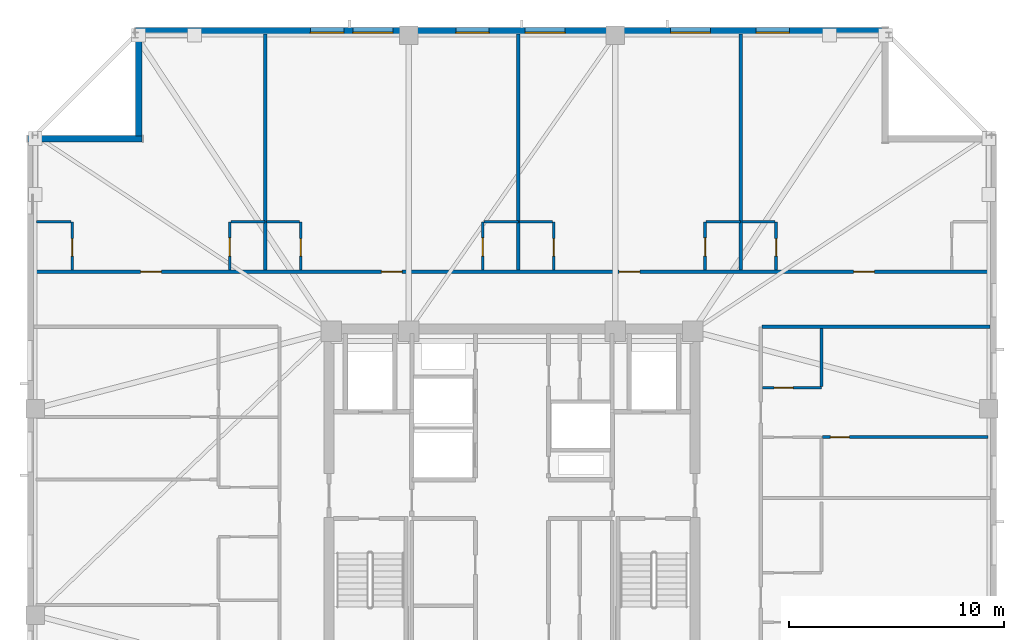
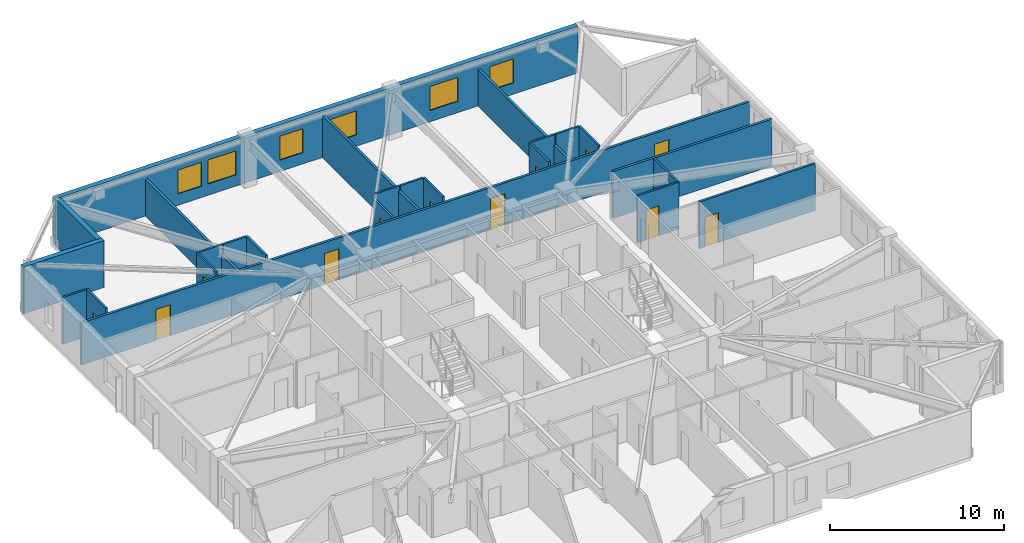
# One storey, part 11 of 17: 25 walls, 13 doors, 6 windows, 19 openings.
"""IFC4 building model written with IfcOpenShell, lengths in metres."""

from ifc_helpers import new_model, si_unit, direction, frame, frame_2d, origin, place, context, subcontext, project, spatial, rectangle, extrude, material, layer, layer_set, type_object, element, fill, save


model = new_model("IFC4")

# Units and contexts
model_context = context("Model", 3, precision=1e-05, world=origin(), true_north=direction((0.0, 1.0)))
body_context = subcontext(model_context, "Body", "Model", "MODEL_VIEW")
ifc_project = project(units=[si_unit("LENGTHUNIT", "METRE"), si_unit("AREAUNIT", "SQUARE_METRE"), si_unit("VOLUMEUNIT", "CUBIC_METRE"), si_unit("PLANEANGLEUNIT", "RADIAN"), si_unit("MASSUNIT", "GRAM", prefix="KILO")], contexts=[model_context])

# Site, building, storey
site_placement = place(None, origin())
site = spatial("IfcSite", under=ifc_project, at=site_placement, CompositionType="ELEMENT")
building_placement = place(site_placement, origin())
building = spatial("IfcBuilding", under=site, at=building_placement, Name="Cairnveth Concourse Tower", CompositionType="ELEMENT")
storey_placement = place(building_placement, frame((0.0, 0.0, 258.5)))
storey = spatial("IfcBuildingStorey", under=building, at=storey_placement, Name="L71", CompositionType="ELEMENT", Elevation=258.5)

# Wall, openings, doors
ifc_material_1 = material(Name="Gypsum Plasterboard Partition", Category="gypsum")
ifc_layer_1 = layer(ifc_material_1, 0.159912109375)
ifc_layer_set_1 = layer_set([ifc_layer_1], Name="Gypsum Plasterboard Partition")
wall_type_1 = type_object("IfcWallType", Name="ACOUSTIC PARTY WALL 180", PredefinedType="PARTITIONING", material=ifc_layer_set_1)
wall_1_placement = place(storey_placement, frame((29.804931640625, 50.152587890625, 0.0), z_axis=(0.0, 0.0, 1.0), x_axis=(1.0, 0.0, 0.0)))
wall_1 = element("IfcWall", 1, at=wall_1_placement, inside=storey, type_object=wall_type_1, Name="Interior Wall IW-L71-037", PredefinedType="PARTITIONING", context=body_context, shape_type="SweptSolid", body=[
    extrude(rectangle(XDim=44.39013671875, YDim=0.159912109375, at=frame_2d((22.195068359375, 0.0))), origin(), (0.0, 0.0, 1.0), 2.9580078125),
])
opening_1_placement = place(wall_1_placement, frame((4.94384765625, 0.0, 0.0)))
opening_1 = element("IfcOpeningElement", 2, at=opening_1_placement, cuts=wall_1, Name="Opening ID10", PredefinedType="OPENING", context=body_context, shape_type="SweptSolid", body=[
    extrude(rectangle(XDim=0.9599609375, YDim=2.179931640625, at=frame_2d((0.47998046875, 1.08984375))), frame((0.0, 0.08984375, 0.0), z_axis=(0.0, -1.0, 0.0), x_axis=(1.0, 0.0, 0.0)), (0.0, 0.0, 1.0), 0.179931640625),
])
opening_2_placement = place(wall_1_placement, frame((16.1298828125, 0.0, 0.0)))
opening_2 = element("IfcOpeningElement", 3, at=opening_2_placement, cuts=wall_1, Name="Opening ID10", PredefinedType="OPENING", context=body_context, shape_type="SweptSolid", body=[
    extrude(rectangle(XDim=0.9599609375, YDim=2.179931640625, at=frame_2d((0.47998046875, 1.08984375))), frame((0.0, 0.08984375, 0.0), z_axis=(0.0, -1.0, 0.0), x_axis=(1.0, 0.0, 0.0)), (0.0, 0.0, 1.0), 0.179931640625),
])
opening_3_placement = place(wall_1_placement, frame((27.169921875, 0.0, 0.0)))
opening_3 = element("IfcOpeningElement", 4, at=opening_3_placement, cuts=wall_1, Name="Opening ID10", PredefinedType="OPENING", context=body_context, shape_type="SweptSolid", body=[
    extrude(rectangle(XDim=0.9599609375, YDim=2.179931640625, at=frame_2d((0.47998046875, 1.08984375))), frame((0.0, 0.08984375, 0.0), z_axis=(0.0, -1.0, 0.0), x_axis=(1.0, 0.0, 0.0)), (0.0, 0.0, 1.0), 0.179931640625),
])
opening_4_placement = place(wall_1_placement, frame((38.063720703125, 0.0, 0.0)))
opening_4 = element("IfcOpeningElement", 5, at=opening_4_placement, cuts=wall_1, Name="Opening ID10", PredefinedType="OPENING", context=body_context, shape_type="SweptSolid", body=[
    extrude(rectangle(XDim=0.9599609375, YDim=2.179931640625, at=frame_2d((0.47998046875, 1.08984375))), frame((0.0, 0.08984375, 0.0), z_axis=(0.0, -1.0, 0.0), x_axis=(1.0, 0.0, 0.0)), (0.0, 0.0, 1.0), 0.179931640625),
])
ifc_material_2 = material(Name="Solid Core Hardwood Timber Leaf", Category="wood")
door_type_1 = type_object("IfcDoorType", Name="FLAT ENTRANCE DOOR 960X2150", OperationType="NOTDEFINED", PredefinedType="DOOR", material=ifc_material_2)
door_1_placement = place(opening_1_placement, origin())
door_1 = element("IfcDoor", 6, at=door_1_placement, inside=storey, type_object=door_type_1, Name="Studio L71STN1 Entrance Door", OperationType="SINGLE_SWING_LEFT", OverallHeight=2.179931640625, OverallWidth=0.9599609375, PredefinedType="DOOR", context=body_context, shape_type="SweptSolid", body=[
    extrude(rectangle(XDim=0.9599609375, YDim=2.179931640625, at=frame_2d((0.47998046875, 1.08984375))), frame((0.0, 0.02490234375, 0.0), z_axis=(0.0, -1.0, 0.0), x_axis=(1.0, 0.0, 0.0)), (0.0, 0.0, 1.0), 0.050048828125),
])
fill(opening_1, door_1)
door_2_placement = place(opening_2_placement, origin())
door_2 = element("IfcDoor", 7, at=door_2_placement, inside=storey, type_object=door_type_1, Name="Studio L71STN2 Entrance Door", OperationType="SINGLE_SWING_RIGHT", OverallHeight=2.179931640625, OverallWidth=0.9599609375, PredefinedType="DOOR", context=body_context, shape_type="SweptSolid", body=[
    extrude(rectangle(XDim=0.9599609375, YDim=2.179931640625, at=frame_2d((0.47998046875, 1.08984375))), frame((0.0, 0.02490234375, 0.0), z_axis=(0.0, -1.0, 0.0), x_axis=(1.0, 0.0, 0.0)), (0.0, 0.0, 1.0), 0.050048828125),
])
fill(opening_2, door_2)
door_3_placement = place(opening_3_placement, origin())
door_3 = element("IfcDoor", 8, at=door_3_placement, inside=storey, type_object=door_type_1, Name="Studio L71STN3 Entrance Door", OperationType="SINGLE_SWING_LEFT", OverallHeight=2.179931640625, OverallWidth=0.9599609375, PredefinedType="DOOR", context=body_context, shape_type="SweptSolid", body=[
    extrude(rectangle(XDim=0.9599609375, YDim=2.179931640625, at=frame_2d((0.47998046875, 1.08984375))), frame((0.0, 0.02490234375, 0.0), z_axis=(0.0, -1.0, 0.0), x_axis=(1.0, 0.0, 0.0)), (0.0, 0.0, 1.0), 0.050048828125),
])
fill(opening_3, door_3)
door_4_placement = place(opening_4_placement, origin())
door_4 = element("IfcDoor", 9, at=door_4_placement, inside=storey, type_object=door_type_1, Name="Studio L71STN4 Entrance Door", OperationType="SINGLE_SWING_RIGHT", OverallHeight=2.179931640625, OverallWidth=0.9599609375, PredefinedType="DOOR", context=body_context, shape_type="SweptSolid", body=[
    extrude(rectangle(XDim=0.9599609375, YDim=2.179931640625, at=frame_2d((0.47998046875, 1.08984375))), frame((0.0, 0.02490234375, 0.0), z_axis=(0.0, -1.0, 0.0), x_axis=(1.0, 0.0, 0.0)), (0.0, 0.0, 1.0), 0.050048828125),
])
fill(opening_4, door_4)

# Walls
wall_2_placement = place(storey_placement, frame((63.614990234375, 47.60009765625, 0.0), z_axis=(0.0, 0.0, 1.0), x_axis=(1.0, 0.0, 0.0)))
element("IfcWall", 10, at=wall_2_placement, inside=storey, type_object=wall_type_1, Name="Interior Wall IW-L71-043", PredefinedType="PARTITIONING", context=body_context, shape_type="SweptSolid", body=[
    extrude(rectangle(XDim=10.580078125, YDim=0.159912109375, at=frame_2d((5.2900390625, 0.0))), origin(), (0.0, 0.0, 1.0), 3.2900390625),
])
wall_3_placement = place(storey_placement, frame((40.53759765625, 50.232421875, 0.0), z_axis=(0.0, 0.0, 1.0), x_axis=(0.0, 1.0, 0.0)))
element("IfcWall", 11, at=wall_3_placement, inside=storey, type_object=wall_type_1, Name="Interior Wall IW-L71-079", PredefinedType="PARTITIONING", context=body_context, shape_type="SweptSolid", body=[
    extrude(rectangle(XDim=10.962646484375, YDim=0.159912109375, at=frame_2d((5.4814453125, 0.0))), origin(), (0.0, 0.0, 1.0), 2.572998046875),
])
wall_4_placement = place(storey_placement, frame((52.29248046875, 50.232421875, 0.0), z_axis=(0.0, 0.0, 1.0), x_axis=(0.0, 1.0, 0.0)))
element("IfcWall", 12, at=wall_4_placement, inside=storey, type_object=wall_type_1, Name="Interior Wall IW-L71-084", PredefinedType="PARTITIONING", context=body_context, shape_type="SweptSolid", body=[
    extrude(rectangle(XDim=10.962646484375, YDim=0.159912109375, at=frame_2d((5.4814453125, 0.0))), origin(), (0.0, 0.0, 1.0), 2.9580078125),
])
wall_5_placement = place(storey_placement, frame((62.617431640625, 50.232421875, 0.0), z_axis=(0.0, 0.0, 1.0), x_axis=(0.0, 1.0, 0.0)))
element("IfcWall", 13, at=wall_5_placement, inside=storey, type_object=wall_type_1, Name="Interior Wall IW-L71-089", PredefinedType="PARTITIONING", context=body_context, shape_type="SweptSolid", body=[
    extrude(rectangle(XDim=10.962646484375, YDim=0.159912109375, at=frame_2d((5.4814453125, 0.0))), origin(), (0.0, 0.0, 1.0), 2.572998046875),
])

# Wall, opening, door
ifc_layer_2 = layer(ifc_material_1, 0.139892578125)
ifc_layer_set_2 = layer_set([ifc_layer_2], Name="Gypsum Plasterboard Partition")
wall_type_2 = type_object("IfcWallType", Name="GYPSUM STUD PARTITION 140", PredefinedType="PARTITIONING", material=ifc_layer_set_2)
wall_6_placement = place(storey_placement, frame((66.429931640625, 42.47509765625, 0.0), z_axis=(0.0, 0.0, 1.0), x_axis=(1.0, 0.0, 0.0)))
wall_6 = element("IfcWall", 14, at=wall_6_placement, inside=storey, type_object=wall_type_2, Name="Interior Wall IW-L71-116", PredefinedType="PARTITIONING", context=body_context, shape_type="SweptSolid", body=[
    extrude(rectangle(XDim=7.690185546875, YDim=0.139892578125, at=frame_2d((3.84521484375, 0.0))), origin(), (0.0, 0.0, 1.0), 3.2900390625),
])
opening_5_placement = place(wall_6_placement, frame((0.360107421875, 0.0, 0.0)))
opening_5 = element("IfcOpeningElement", 15, at=opening_5_placement, cuts=wall_6, Name="Opening ID18", PredefinedType="OPENING", context=body_context, shape_type="SweptSolid", body=[
    extrude(rectangle(XDim=0.8798828125, YDim=2.10009765625, at=frame_2d((0.43994140625, 1.050048828125))), frame((0.0, 0.079833984375, 0.0), z_axis=(0.0, -1.0, 0.0), x_axis=(1.0, 0.0, 0.0)), (0.0, 0.0, 1.0), 0.159912109375),
])
door_type_2 = type_object("IfcDoorType", Name="INTERIOR SINGLE DOOR 880X2100", OperationType="NOTDEFINED", PredefinedType="DOOR", material=ifc_material_2)
door_5_placement = place(opening_5_placement, origin())
door_5 = element("IfcDoor", 16, at=door_5_placement, inside=storey, type_object=door_type_2, Name="L71E2 Master Bedroom Door", OperationType="SINGLE_SWING_LEFT", OverallHeight=2.10009765625, OverallWidth=0.8798828125, PredefinedType="DOOR", context=body_context, shape_type="SweptSolid", body=[
    extrude(rectangle(XDim=0.8798828125, YDim=2.10009765625, at=frame_2d((0.43994140625, 1.050048828125))), frame((0.0, 0.02490234375, 0.0), z_axis=(0.0, -1.0, 0.0), x_axis=(1.0, 0.0, 0.0)), (0.0, 0.0, 1.0), 0.050048828125),
])
fill(opening_5, door_5)

ifc_layer_3 = layer(ifc_material_1, 0.1298828125)
ifc_layer_set_3 = layer_set([ifc_layer_3], Name="Gypsum Plasterboard Partition")
wall_type_3 = type_object("IfcWallType", Name="WET AREA PARTITION 140", PredefinedType="PLUMBINGWALL", material=ifc_layer_set_3)
wall_7_placement = place(storey_placement, frame((31.570068359375, 50.232421875, 0.0), z_axis=(0.0, 0.0, 1.0), x_axis=(0.0, 1.0, 0.0)))
wall_7 = element("IfcWall", 17, at=wall_7_placement, inside=storey, type_object=wall_type_3, Name="Interior Wall IW-L71-075", PredefinedType="PLUMBINGWALL", context=body_context, shape_type="SweptSolid", body=[
    extrude(rectangle(XDim=2.25, YDim=0.1298828125, at=frame_2d((1.125, 0.0))), origin(), (0.0, 0.0, 1.0), 3.2900390625),
])
opening_6_placement = place(wall_7_placement, frame((0.64990234375, 0.0, 0.0)))
opening_6 = element("IfcOpeningElement", 18, at=opening_6_placement, cuts=wall_7, Name="Opening ID22", PredefinedType="OPENING", context=body_context, shape_type="SweptSolid", body=[
    extrude(rectangle(XDim=0.820068359375, YDim=2.10009765625, at=frame_2d((0.41015625, 1.050048828125))), frame((0.0, 0.074951171875, 0.0), z_axis=(0.0, -1.0, 0.0), x_axis=(1.0, 0.0, 0.0)), (0.0, 0.0, 1.0), 0.14990234375),
])
door_type_3 = type_object("IfcDoorType", Name="INTERIOR WC DOOR 820X2100", OperationType="NOTDEFINED", PredefinedType="DOOR", material=ifc_material_2)
door_6_placement = place(opening_6_placement, origin())
door_6 = element("IfcDoor", 19, at=door_6_placement, inside=storey, type_object=door_type_3, Name="L71STN1 Bathroom Door", OperationType="SINGLE_SWING_LEFT", OverallHeight=2.10009765625, OverallWidth=0.820068359375, PredefinedType="DOOR", context=body_context, shape_type="SweptSolid", body=[
    extrude(rectangle(XDim=0.820068359375, YDim=2.10009765625, at=frame_2d((0.41015625, 1.050048828125))), frame((0.0, 0.02490234375, 0.0), z_axis=(0.0, -1.0, 0.0), x_axis=(1.0, 0.0, 0.0)), (0.0, 0.0, 1.0), 0.050048828125),
])
fill(opening_6, door_6)

# Wall
wall_8_placement = place(storey_placement, frame((29.919921875, 52.482421875, 0.0), z_axis=(0.0, 0.0, 1.0), x_axis=(1.0, 0.0, 0.0)))
element("IfcWall", 20, at=wall_8_placement, inside=storey, type_object=wall_type_3, Name="Interior Wall IW-L71-076", PredefinedType="PLUMBINGWALL", context=body_context, shape_type="SweptSolid", body=[
    extrude(rectangle(XDim=1.60009765625, YDim=0.1298828125, at=frame_2d((0.800048828125, 0.0))), origin(), (0.0, 0.0, 1.0), 3.2900390625),
])

# Wall, opening, door
wall_9_placement = place(storey_placement, frame((38.887451171875, 50.232421875, 0.0), z_axis=(0.0, 0.0, 1.0), x_axis=(0.0, 1.0, 0.0)))
wall_9 = element("IfcWall", 21, at=wall_9_placement, inside=storey, type_object=wall_type_3, Name="Interior Wall IW-L71-077", PredefinedType="PLUMBINGWALL", context=body_context, shape_type="SweptSolid", body=[
    extrude(rectangle(XDim=2.25, YDim=0.1298828125, at=frame_2d((1.125, 0.0))), origin(), (0.0, 0.0, 1.0), 3.2900390625),
])
opening_7_placement = place(wall_9_placement, frame((0.64990234375, 0.0, 0.0)))
opening_7 = element("IfcOpeningElement", 22, at=opening_7_placement, cuts=wall_9, Name="Opening ID20", PredefinedType="OPENING", context=body_context, shape_type="SweptSolid", body=[
    extrude(rectangle(XDim=0.85009765625, YDim=2.10009765625, at=frame_2d((0.425048828125, 1.050048828125))), frame((0.0, 0.074951171875, 0.0), z_axis=(0.0, -1.0, 0.0), x_axis=(1.0, 0.0, 0.0)), (0.0, 0.0, 1.0), 0.14990234375),
])
door_type_4 = type_object("IfcDoorType", Name="INTERIOR SINGLE DOOR 850X2100", OperationType="NOTDEFINED", PredefinedType="DOOR", material=ifc_material_2)
door_7_placement = place(opening_7_placement, origin())
door_7 = element("IfcDoor", 23, at=door_7_placement, inside=storey, type_object=door_type_4, Name="L71STN1 Kitchen Door", OperationType="SINGLE_SWING_RIGHT", OverallHeight=2.10009765625, OverallWidth=0.85009765625, PredefinedType="DOOR", context=body_context, shape_type="SweptSolid", body=[
    extrude(rectangle(XDim=0.85009765625, YDim=2.10009765625, at=frame_2d((0.425048828125, 1.050048828125))), frame((0.0, 0.02490234375, 0.0), z_axis=(0.0, -1.0, 0.0), x_axis=(1.0, 0.0, 0.0)), (0.0, 0.0, 1.0), 0.050048828125),
])
fill(opening_7, door_7)

# Wall
wall_10_placement = place(storey_placement, frame((38.9375, 52.482421875, 0.0), z_axis=(0.0, 0.0, 1.0), x_axis=(1.0, 0.0, 0.0)))
element("IfcWall", 24, at=wall_10_placement, inside=storey, type_object=wall_type_3, Name="Interior Wall IW-L71-078", PredefinedType="PLUMBINGWALL", context=body_context, shape_type="SweptSolid", body=[
    extrude(rectangle(XDim=1.60009765625, YDim=0.1298828125, at=frame_2d((0.800048828125, 0.0))), origin(), (0.0, 0.0, 1.0), 3.2900390625),
])

# Wall, opening, door
wall_11_placement = place(storey_placement, frame((42.1875, 50.232421875, 0.0), z_axis=(0.0, 0.0, 1.0), x_axis=(0.0, 1.0, 0.0)))
wall_11 = element("IfcWall", 25, at=wall_11_placement, inside=storey, type_object=wall_type_3, Name="Interior Wall IW-L71-080", PredefinedType="PLUMBINGWALL", context=body_context, shape_type="SweptSolid", body=[
    extrude(rectangle(XDim=2.25, YDim=0.1298828125, at=frame_2d((1.125, 0.0))), origin(), (0.0, 0.0, 1.0), 3.2900390625),
])
opening_8_placement = place(wall_11_placement, frame((0.64990234375, 0.0, 0.0)))
opening_8 = element("IfcOpeningElement", 26, at=opening_8_placement, cuts=wall_11, Name="Opening ID22", PredefinedType="OPENING", context=body_context, shape_type="SweptSolid", body=[
    extrude(rectangle(XDim=0.820068359375, YDim=2.10009765625, at=frame_2d((0.41015625, 1.050048828125))), frame((0.0, 0.074951171875, 0.0), z_axis=(0.0, -1.0, 0.0), x_axis=(1.0, 0.0, 0.0)), (0.0, 0.0, 1.0), 0.14990234375),
])
door_8_placement = place(opening_8_placement, origin())
door_8 = element("IfcDoor", 27, at=door_8_placement, inside=storey, type_object=door_type_3, Name="L71STN2 Bathroom Door", OperationType="SINGLE_SWING_RIGHT", OverallHeight=2.10009765625, OverallWidth=0.820068359375, PredefinedType="DOOR", context=body_context, shape_type="SweptSolid", body=[
    extrude(rectangle(XDim=0.820068359375, YDim=2.10009765625, at=frame_2d((0.41015625, 1.050048828125))), frame((0.0, 0.02490234375, 0.0), z_axis=(0.0, -1.0, 0.0), x_axis=(1.0, 0.0, 0.0)), (0.0, 0.0, 1.0), 0.050048828125),
])
fill(opening_8, door_8)

# Wall
wall_12_placement = place(storey_placement, frame((40.6025390625, 52.482421875, 0.0), z_axis=(0.0, 0.0, 1.0), x_axis=(1.0, 0.0, 0.0)))
element("IfcWall", 28, at=wall_12_placement, inside=storey, type_object=wall_type_3, Name="Interior Wall IW-L71-081", PredefinedType="PLUMBINGWALL", context=body_context, shape_type="SweptSolid", body=[
    extrude(rectangle(XDim=1.534912109375, YDim=0.1298828125, at=frame_2d((0.767578125, 0.0))), origin(), (0.0, 0.0, 1.0), 3.2900390625),
])

# Wall, opening, door
wall_13_placement = place(storey_placement, frame((50.642578125, 50.232421875, 0.0), z_axis=(0.0, 0.0, 1.0), x_axis=(0.0, 1.0, 0.0)))
wall_13 = element("IfcWall", 29, at=wall_13_placement, inside=storey, type_object=wall_type_3, Name="Interior Wall IW-L71-082", PredefinedType="PLUMBINGWALL", context=body_context, shape_type="SweptSolid", body=[
    extrude(rectangle(XDim=2.25, YDim=0.1298828125, at=frame_2d((1.125, 0.0))), origin(), (0.0, 0.0, 1.0), 2.9580078125),
])
opening_9_placement = place(wall_13_placement, frame((0.64990234375, 0.0, 0.0)))
opening_9 = element("IfcOpeningElement", 30, at=opening_9_placement, cuts=wall_13, Name="Opening ID20", PredefinedType="OPENING", context=body_context, shape_type="SweptSolid", body=[
    extrude(rectangle(XDim=0.85009765625, YDim=2.10009765625, at=frame_2d((0.425048828125, 1.050048828125))), frame((0.0, 0.074951171875, 0.0), z_axis=(0.0, -1.0, 0.0), x_axis=(1.0, 0.0, 0.0)), (0.0, 0.0, 1.0), 0.14990234375),
])
door_9_placement = place(opening_9_placement, origin())
door_9 = element("IfcDoor", 31, at=door_9_placement, inside=storey, type_object=door_type_4, Name="L71STN2 Kitchen Door", OperationType="SINGLE_SWING_LEFT", OverallHeight=2.10009765625, OverallWidth=0.85009765625, PredefinedType="DOOR", context=body_context, shape_type="SweptSolid", body=[
    extrude(rectangle(XDim=0.85009765625, YDim=2.10009765625, at=frame_2d((0.425048828125, 1.050048828125))), frame((0.0, 0.02490234375, 0.0), z_axis=(0.0, -1.0, 0.0), x_axis=(1.0, 0.0, 0.0)), (0.0, 0.0, 1.0), 0.050048828125),
])
fill(opening_9, door_9)

# Wall
wall_14_placement = place(storey_placement, frame((50.6923828125, 52.482421875, 0.0), z_axis=(0.0, 0.0, 1.0), x_axis=(1.0, 0.0, 0.0)))
element("IfcWall", 32, at=wall_14_placement, inside=storey, type_object=wall_type_3, Name="Interior Wall IW-L71-083", PredefinedType="PLUMBINGWALL", context=body_context, shape_type="SweptSolid", body=[
    extrude(rectangle(XDim=1.60009765625, YDim=0.1298828125, at=frame_2d((0.800048828125, 0.0))), origin(), (0.0, 0.0, 1.0), 3.2900390625),
])

# Wall, opening, door
wall_15_placement = place(storey_placement, frame((53.9423828125, 50.232421875, 0.0), z_axis=(0.0, 0.0, 1.0), x_axis=(0.0, 1.0, 0.0)))
wall_15 = element("IfcWall", 33, at=wall_15_placement, inside=storey, type_object=wall_type_3, Name="Interior Wall IW-L71-085", PredefinedType="PLUMBINGWALL", context=body_context, shape_type="SweptSolid", body=[
    extrude(rectangle(XDim=2.25, YDim=0.1298828125, at=frame_2d((1.125, 0.0))), origin(), (0.0, 0.0, 1.0), 3.2900390625),
])
opening_10_placement = place(wall_15_placement, frame((0.64990234375, 0.0, 0.0)))
opening_10 = element("IfcOpeningElement", 34, at=opening_10_placement, cuts=wall_15, Name="Opening ID22", PredefinedType="OPENING", context=body_context, shape_type="SweptSolid", body=[
    extrude(rectangle(XDim=0.820068359375, YDim=2.10009765625, at=frame_2d((0.41015625, 1.050048828125))), frame((0.0, 0.074951171875, 0.0), z_axis=(0.0, -1.0, 0.0), x_axis=(1.0, 0.0, 0.0)), (0.0, 0.0, 1.0), 0.14990234375),
])
door_10_placement = place(opening_10_placement, origin())
door_10 = element("IfcDoor", 35, at=door_10_placement, inside=storey, type_object=door_type_3, Name="L71STN3 Bathroom Door", OperationType="SINGLE_SWING_LEFT", OverallHeight=2.10009765625, OverallWidth=0.820068359375, PredefinedType="DOOR", context=body_context, shape_type="SweptSolid", body=[
    extrude(rectangle(XDim=0.820068359375, YDim=2.10009765625, at=frame_2d((0.41015625, 1.050048828125))), frame((0.0, 0.02490234375, 0.0), z_axis=(0.0, -1.0, 0.0), x_axis=(1.0, 0.0, 0.0)), (0.0, 0.0, 1.0), 0.050048828125),
])
fill(opening_10, door_10)

# Wall
wall_16_placement = place(storey_placement, frame((52.357421875, 52.482421875, 0.0), z_axis=(0.0, 0.0, 1.0), x_axis=(1.0, 0.0, 0.0)))
element("IfcWall", 36, at=wall_16_placement, inside=storey, type_object=wall_type_3, Name="Interior Wall IW-L71-086", PredefinedType="PLUMBINGWALL", context=body_context, shape_type="SweptSolid", body=[
    extrude(rectangle(XDim=1.53515625, YDim=0.1298828125, at=frame_2d((0.767578125, 0.0))), origin(), (0.0, 0.0, 1.0), 3.2900390625),
])

# Wall, opening, door
wall_17_placement = place(storey_placement, frame((60.967529296875, 50.232421875, 0.0), z_axis=(0.0, 0.0, 1.0), x_axis=(0.0, 1.0, 0.0)))
wall_17 = element("IfcWall", 37, at=wall_17_placement, inside=storey, type_object=wall_type_3, Name="Interior Wall IW-L71-087", PredefinedType="PLUMBINGWALL", context=body_context, shape_type="SweptSolid", body=[
    extrude(rectangle(XDim=2.25, YDim=0.1298828125, at=frame_2d((1.125, 0.0))), origin(), (0.0, 0.0, 1.0), 3.2900390625),
])
opening_11_placement = place(wall_17_placement, frame((0.64990234375, 0.0, 0.0)))
opening_11 = element("IfcOpeningElement", 38, at=opening_11_placement, cuts=wall_17, Name="Opening ID20", PredefinedType="OPENING", context=body_context, shape_type="SweptSolid", body=[
    extrude(rectangle(XDim=0.85009765625, YDim=2.10009765625, at=frame_2d((0.425048828125, 1.050048828125))), frame((0.0, 0.074951171875, 0.0), z_axis=(0.0, -1.0, 0.0), x_axis=(1.0, 0.0, 0.0)), (0.0, 0.0, 1.0), 0.14990234375),
])
door_11_placement = place(opening_11_placement, origin())
door_11 = element("IfcDoor", 39, at=door_11_placement, inside=storey, type_object=door_type_4, Name="L71STN3 Kitchen Door", OperationType="SINGLE_SWING_RIGHT", OverallHeight=2.10009765625, OverallWidth=0.85009765625, PredefinedType="DOOR", context=body_context, shape_type="SweptSolid", body=[
    extrude(rectangle(XDim=0.85009765625, YDim=2.10009765625, at=frame_2d((0.425048828125, 1.050048828125))), frame((0.0, 0.02490234375, 0.0), z_axis=(0.0, -1.0, 0.0), x_axis=(1.0, 0.0, 0.0)), (0.0, 0.0, 1.0), 0.050048828125),
])
fill(opening_11, door_11)

# Wall
wall_18_placement = place(storey_placement, frame((61.017578125, 52.482421875, 0.0), z_axis=(0.0, 0.0, 1.0), x_axis=(1.0, 0.0, 0.0)))
element("IfcWall", 40, at=wall_18_placement, inside=storey, type_object=wall_type_3, Name="Interior Wall IW-L71-088", PredefinedType="PLUMBINGWALL", context=body_context, shape_type="SweptSolid", body=[
    extrude(rectangle(XDim=1.599853515625, YDim=0.1298828125, at=frame_2d((0.7998046875, 0.0))), origin(), (0.0, 0.0, 1.0), 3.2900390625),
])

# Wall, opening, door
wall_19_placement = place(storey_placement, frame((64.267578125, 50.232421875, 0.0), z_axis=(0.0, 0.0, 1.0), x_axis=(0.0, 1.0, 0.0)))
wall_19 = element("IfcWall", 41, at=wall_19_placement, inside=storey, type_object=wall_type_3, Name="Interior Wall IW-L71-090", PredefinedType="PLUMBINGWALL", context=body_context, shape_type="SweptSolid", body=[
    extrude(rectangle(XDim=2.25, YDim=0.1298828125, at=frame_2d((1.125, 0.0))), origin(), (0.0, 0.0, 1.0), 3.2900390625),
])
opening_12_placement = place(wall_19_placement, frame((0.64990234375, 0.0, 0.0)))
opening_12 = element("IfcOpeningElement", 42, at=opening_12_placement, cuts=wall_19, Name="Opening ID22", PredefinedType="OPENING", context=body_context, shape_type="SweptSolid", body=[
    extrude(rectangle(XDim=0.820068359375, YDim=2.10009765625, at=frame_2d((0.41015625, 1.050048828125))), frame((0.0, 0.074951171875, 0.0), z_axis=(0.0, -1.0, 0.0), x_axis=(1.0, 0.0, 0.0)), (0.0, 0.0, 1.0), 0.14990234375),
])
door_12_placement = place(opening_12_placement, origin())
door_12 = element("IfcDoor", 43, at=door_12_placement, inside=storey, type_object=door_type_3, Name="L71STN4 Bathroom Door", OperationType="SINGLE_SWING_RIGHT", OverallHeight=2.10009765625, OverallWidth=0.820068359375, PredefinedType="DOOR", context=body_context, shape_type="SweptSolid", body=[
    extrude(rectangle(XDim=0.820068359375, YDim=2.10009765625, at=frame_2d((0.41015625, 1.050048828125))), frame((0.0, 0.02490234375, 0.0), z_axis=(0.0, -1.0, 0.0), x_axis=(1.0, 0.0, 0.0)), (0.0, 0.0, 1.0), 0.050048828125),
])
fill(opening_12, door_12)

# Wall
wall_20_placement = place(storey_placement, frame((62.6826171875, 52.482421875, 0.0), z_axis=(0.0, 0.0, 1.0), x_axis=(1.0, 0.0, 0.0)))
element("IfcWall", 44, at=wall_20_placement, inside=storey, type_object=wall_type_3, Name="Interior Wall IW-L71-091", PredefinedType="PLUMBINGWALL", context=body_context, shape_type="SweptSolid", body=[
    extrude(rectangle(XDim=1.534912109375, YDim=0.1298828125, at=frame_2d((0.767578125, 0.0))), origin(), (0.0, 0.0, 1.0), 3.2900390625),
])

# Wall, opening, door
wall_21_placement = place(storey_placement, frame((63.6298828125, 44.77490234375, 0.0), z_axis=(0.0, 0.0, 1.0), x_axis=(1.0, 0.0, 0.0)))
wall_21 = element("IfcWall", 45, at=wall_21_placement, inside=storey, type_object=wall_type_3, Name="Interior Wall IW-L71-114", PredefinedType="PLUMBINGWALL", context=body_context, shape_type="SweptSolid", body=[
    extrude(rectangle(XDim=2.75, YDim=0.1298828125, at=frame_2d((1.375, 0.0))), origin(), (0.0, 0.0, 1.0), 3.2900390625),
])
opening_13_placement = place(wall_21_placement, frame((0.550048828125, 0.0, 0.0)))
opening_13 = element("IfcOpeningElement", 46, at=opening_13_placement, cuts=wall_21, Name="Opening ID18", PredefinedType="OPENING", context=body_context, shape_type="SweptSolid", body=[
    extrude(rectangle(XDim=0.8798828125, YDim=2.10009765625, at=frame_2d((0.43994140625, 1.050048828125))), frame((0.0, 0.074951171875, 0.0), z_axis=(0.0, -1.0, 0.0), x_axis=(1.0, 0.0, 0.0)), (0.0, 0.0, 1.0), 0.14990234375),
])
door_13_placement = place(opening_13_placement, origin())
door_13 = element("IfcDoor", 47, at=door_13_placement, inside=storey, type_object=door_type_2, Name="L71E2 Kitchen Door", OperationType="SINGLE_SWING_RIGHT", OverallHeight=2.10009765625, OverallWidth=0.8798828125, PredefinedType="DOOR", context=body_context, shape_type="SweptSolid", body=[
    extrude(rectangle(XDim=0.8798828125, YDim=2.10009765625, at=frame_2d((0.43994140625, 1.050048828125))), frame((0.0, 0.02490234375, 0.0), z_axis=(0.0, -1.0, 0.0), x_axis=(1.0, 0.0, 0.0)), (0.0, 0.0, 1.0), 0.050048828125),
])
fill(opening_13, door_13)

# Walls
wall_22_placement = place(storey_placement, frame((66.3798828125, 44.824951171875, 0.0), z_axis=(0.0, 0.0, 1.0), x_axis=(0.0, 1.0, 0.0)))
element("IfcWall", 48, at=wall_22_placement, inside=storey, type_object=wall_type_3, Name="Interior Wall IW-L71-115", PredefinedType="PLUMBINGWALL", context=body_context, shape_type="SweptSolid", body=[
    extrude(rectangle(XDim=2.7099609375, YDim=0.1298828125, at=frame_2d((1.35498046875, 0.0))), origin(), (0.0, 0.0, 1.0), 3.2900390625),
])
ifc_material_3 = material(Name="Melbourne Buff Fired Clay Brick Masonry", Category="masonry")
ifc_layer_4 = layer(ifc_material_3, 0.320068359375)
ifc_layer_set_4 = layer_set([ifc_layer_4], Name="Melbourne Buff Fired Clay Brick Masonry")
wall_type_4 = type_object("IfcWallType", Name="ZONE 3 BRICK PIER SPANDREL WALL 320", PredefinedType="SOLIDWALL", material=ifc_layer_set_4)
wall_23_placement = place(storey_placement, frame((29.5, 56.340087890625, 0.0), z_axis=(0.0, 0.0, 1.0), x_axis=(1.0, 0.0, 0.0)))
element("IfcWall", 49, at=wall_23_placement, inside=storey, type_object=wall_type_4, Name="Exterior Wall EW-L71-S04", PredefinedType="SOLIDWALL", context=body_context, shape_type="SweptSolid", body=[
    extrude(rectangle(XDim=5.320068359375, YDim=0.320068359375, at=frame_2d((2.66015625, 0.0))), origin(), (0.0, 0.0, 1.0), 3.2900390625),
])
wall_24_placement = place(storey_placement, frame((34.659912109375, 56.47802734375, 0.0), z_axis=(0.0, 0.0, 1.0), x_axis=(0.0, 1.0, 0.0)))
element("IfcWall", 50, at=wall_24_placement, inside=storey, type_object=wall_type_4, Name="Exterior Wall EW-L71-S05", PredefinedType="SOLIDWALL", context=body_context, shape_type="SweptSolid", body=[
    extrude(rectangle(XDim=4.723876953125, YDim=0.320068359375, at=frame_2d((2.36181640625, 0.0))), origin(), (0.0, 0.0, 1.0), 3.2900390625),
])

# Wall, openings, windows
wall_25_placement = place(storey_placement, frame((34.5, 61.340087890625, 0.0), z_axis=(0.0, 0.0, 1.0), x_axis=(1.0, 0.0, 0.0)))
wall_25 = element("IfcWall", 51, at=wall_25_placement, inside=storey, type_object=wall_type_4, Name="Exterior Wall EW-L71-S06", PredefinedType="SOLIDWALL", context=body_context, shape_type="SweptSolid", body=[
    extrude(rectangle(XDim=34.701904296875, YDim=0.320068359375, at=frame_2d((17.35107421875, 0.0))), origin(), (0.0, 0.0, 1.0), 3.2900390625),
])
opening_14_placement = place(wall_25_placement, frame((8.137939453125, 0.0, 0.800048828125)))
opening_14 = element("IfcOpeningElement", 52, at=opening_14_placement, cuts=wall_25, Name="Opening W07", PredefinedType="OPENING", context=body_context, shape_type="SweptSolid", body=[
    extrude(rectangle(XDim=1.550048828125, YDim=1.677978515625, at=frame_2d((0.77490234375, 0.8388671875))), frame((0.0, 0.169921875, 0.0), z_axis=(0.0, -1.0, 0.0), x_axis=(1.0, 0.0, 0.0)), (0.0, 0.0, 1.0), 0.340087890625),
])
opening_15_placement = place(wall_25_placement, frame((10.113037109375, 0.0, 0.800048828125)))
opening_15 = element("IfcOpeningElement", 53, at=opening_15_placement, cuts=wall_25, Name="Opening W08", PredefinedType="OPENING", context=body_context, shape_type="SweptSolid", body=[
    extrude(rectangle(XDim=1.85009765625, YDim=1.677978515625, at=frame_2d((0.925048828125, 0.8388671875))), frame((0.0, 0.169921875, 0.0), z_axis=(0.0, -1.0, 0.0), x_axis=(1.0, 0.0, 0.0)), (0.0, 0.0, 1.0), 0.340087890625),
])
opening_16_placement = place(wall_25_placement, frame((14.888427734375, 0.0, 0.800048828125)))
opening_16 = element("IfcOpeningElement", 54, at=opening_16_placement, cuts=wall_25, Name="Opening W07", PredefinedType="OPENING", context=body_context, shape_type="SweptSolid", body=[
    extrude(rectangle(XDim=1.550048828125, YDim=1.677978515625, at=frame_2d((0.77490234375, 0.8388671875))), frame((0.0, 0.169921875, 0.0), z_axis=(0.0, -1.0, 0.0), x_axis=(1.0, 0.0, 0.0)), (0.0, 0.0, 1.0), 0.340087890625),
])
opening_17_placement = place(wall_25_placement, frame((18.113525390625, 0.0, 0.800048828125)))
opening_17 = element("IfcOpeningElement", 55, at=opening_17_placement, cuts=wall_25, Name="Opening W08", PredefinedType="OPENING", context=body_context, shape_type="SweptSolid", body=[
    extrude(rectangle(XDim=1.85009765625, YDim=1.677978515625, at=frame_2d((0.925048828125, 0.8388671875))), frame((0.0, 0.169921875, 0.0), z_axis=(0.0, -1.0, 0.0), x_axis=(1.0, 0.0, 0.0)), (0.0, 0.0, 1.0), 0.340087890625),
])
opening_18_placement = place(wall_25_placement, frame((24.864013671875, 0.0, 0.800048828125)))
opening_18 = element("IfcOpeningElement", 56, at=opening_18_placement, cuts=wall_25, Name="Opening W08", PredefinedType="OPENING", context=body_context, shape_type="SweptSolid", body=[
    extrude(rectangle(XDim=1.85009765625, YDim=1.677978515625, at=frame_2d((0.925048828125, 0.8388671875))), frame((0.0, 0.169921875, 0.0), z_axis=(0.0, -1.0, 0.0), x_axis=(1.0, 0.0, 0.0)), (0.0, 0.0, 1.0), 0.340087890625),
])
opening_19_placement = place(wall_25_placement, frame((28.83935546875, 0.0, 0.800048828125)))
opening_19 = element("IfcOpeningElement", 57, at=opening_19_placement, cuts=wall_25, Name="Opening W07", PredefinedType="OPENING", context=body_context, shape_type="SweptSolid", body=[
    extrude(rectangle(XDim=1.550048828125, YDim=1.677978515625, at=frame_2d((0.77490234375, 0.8388671875))), frame((0.0, 0.169921875, 0.0), z_axis=(0.0, -1.0, 0.0), x_axis=(1.0, 0.0, 0.0)), (0.0, 0.0, 1.0), 0.340087890625),
])
ifc_material_4 = material(Name="Double Glazed Low-E Clear Glass", Category="glass")
window_type_1 = type_object("IfcWindowType", Name="DEEP-SET APARTMENT LIVING WINDOW 1850X1850", PartitioningType="DOUBLE_PANEL_VERTICAL", PredefinedType="WINDOW", material=ifc_material_4)
window_1_placement = place(opening_15_placement, origin())
window_1 = element("IfcWindow", 58, at=window_1_placement, inside=storey, type_object=window_type_1, Name="Gothic Lancet Window L71-6-3", OverallHeight=1.677978515625, OverallWidth=1.85009765625, PartitioningType="SINGLE_PANEL", PredefinedType="WINDOW", context=body_context, shape_type="SweptSolid", body=[
    extrude(rectangle(XDim=1.85009765625, YDim=1.677978515625, at=frame_2d((0.925048828125, 0.8388671875))), frame((0.0, -0.050048828125, 0.0), z_axis=(0.0, -1.0, 0.0), x_axis=(1.0, 0.0, 0.0)), (0.0, 0.0, 1.0), 0.06005859375),
])
fill(opening_15, window_1)
window_2_placement = place(opening_17_placement, origin())
window_2 = element("IfcWindow", 59, at=window_2_placement, inside=storey, type_object=window_type_1, Name="Gothic Lancet Window L71-6-5", OverallHeight=1.677978515625, OverallWidth=1.85009765625, PartitioningType="SINGLE_PANEL", PredefinedType="WINDOW", context=body_context, shape_type="SweptSolid", body=[
    extrude(rectangle(XDim=1.85009765625, YDim=1.677978515625, at=frame_2d((0.925048828125, 0.8388671875))), frame((0.0, -0.050048828125, 0.0), z_axis=(0.0, -1.0, 0.0), x_axis=(1.0, 0.0, 0.0)), (0.0, 0.0, 1.0), 0.06005859375),
])
fill(opening_17, window_2)
window_3_placement = place(opening_18_placement, origin())
window_3 = element("IfcWindow", 60, at=window_3_placement, inside=storey, type_object=window_type_1, Name="Gothic Lancet Window L71-6-7", OverallHeight=1.677978515625, OverallWidth=1.85009765625, PartitioningType="SINGLE_PANEL", PredefinedType="WINDOW", context=body_context, shape_type="SweptSolid", body=[
    extrude(rectangle(XDim=1.85009765625, YDim=1.677978515625, at=frame_2d((0.925048828125, 0.8388671875))), frame((0.0, -0.050048828125, 0.0), z_axis=(0.0, -1.0, 0.0), x_axis=(1.0, 0.0, 0.0)), (0.0, 0.0, 1.0), 0.06005859375),
])
fill(opening_18, window_3)
window_type_2 = type_object("IfcWindowType", Name="DEEP-SET APARTMENT WINDOW 1550X1800", PartitioningType="DOUBLE_PANEL_VERTICAL", PredefinedType="WINDOW", material=ifc_material_4)
window_4_placement = place(opening_14_placement, origin())
window_4 = element("IfcWindow", 61, at=window_4_placement, inside=storey, type_object=window_type_2, Name="Gothic Lancet Window L71-6-2", OverallHeight=1.677978515625, OverallWidth=1.550048828125, PartitioningType="SINGLE_PANEL", PredefinedType="WINDOW", context=body_context, shape_type="SweptSolid", body=[
    extrude(rectangle(XDim=1.550048828125, YDim=1.677978515625, at=frame_2d((0.77490234375, 0.8388671875))), frame((0.0, -0.050048828125, 0.0), z_axis=(0.0, -1.0, 0.0), x_axis=(1.0, 0.0, 0.0)), (0.0, 0.0, 1.0), 0.06005859375),
])
fill(opening_14, window_4)
window_5_placement = place(opening_16_placement, origin())
window_5 = element("IfcWindow", 62, at=window_5_placement, inside=storey, type_object=window_type_2, Name="Gothic Lancet Window L71-6-4", OverallHeight=1.677978515625, OverallWidth=1.550048828125, PartitioningType="SINGLE_PANEL", PredefinedType="WINDOW", context=body_context, shape_type="SweptSolid", body=[
    extrude(rectangle(XDim=1.550048828125, YDim=1.677978515625, at=frame_2d((0.77490234375, 0.8388671875))), frame((0.0, -0.050048828125, 0.0), z_axis=(0.0, -1.0, 0.0), x_axis=(1.0, 0.0, 0.0)), (0.0, 0.0, 1.0), 0.06005859375),
])
fill(opening_16, window_5)
window_6_placement = place(opening_19_placement, origin())
window_6 = element("IfcWindow", 63, at=window_6_placement, inside=storey, type_object=window_type_2, Name="Gothic Lancet Window L71-6-8", OverallHeight=1.677978515625, OverallWidth=1.550048828125, PartitioningType="SINGLE_PANEL", PredefinedType="WINDOW", context=body_context, shape_type="SweptSolid", body=[
    extrude(rectangle(XDim=1.550048828125, YDim=1.677978515625, at=frame_2d((0.77490234375, 0.8388671875))), frame((0.0, -0.050048828125, 0.0), z_axis=(0.0, -1.0, 0.0), x_axis=(1.0, 0.0, 0.0)), (0.0, 0.0, 1.0), 0.06005859375),
])
fill(opening_19, window_6)

save(model, "model.ifc")
